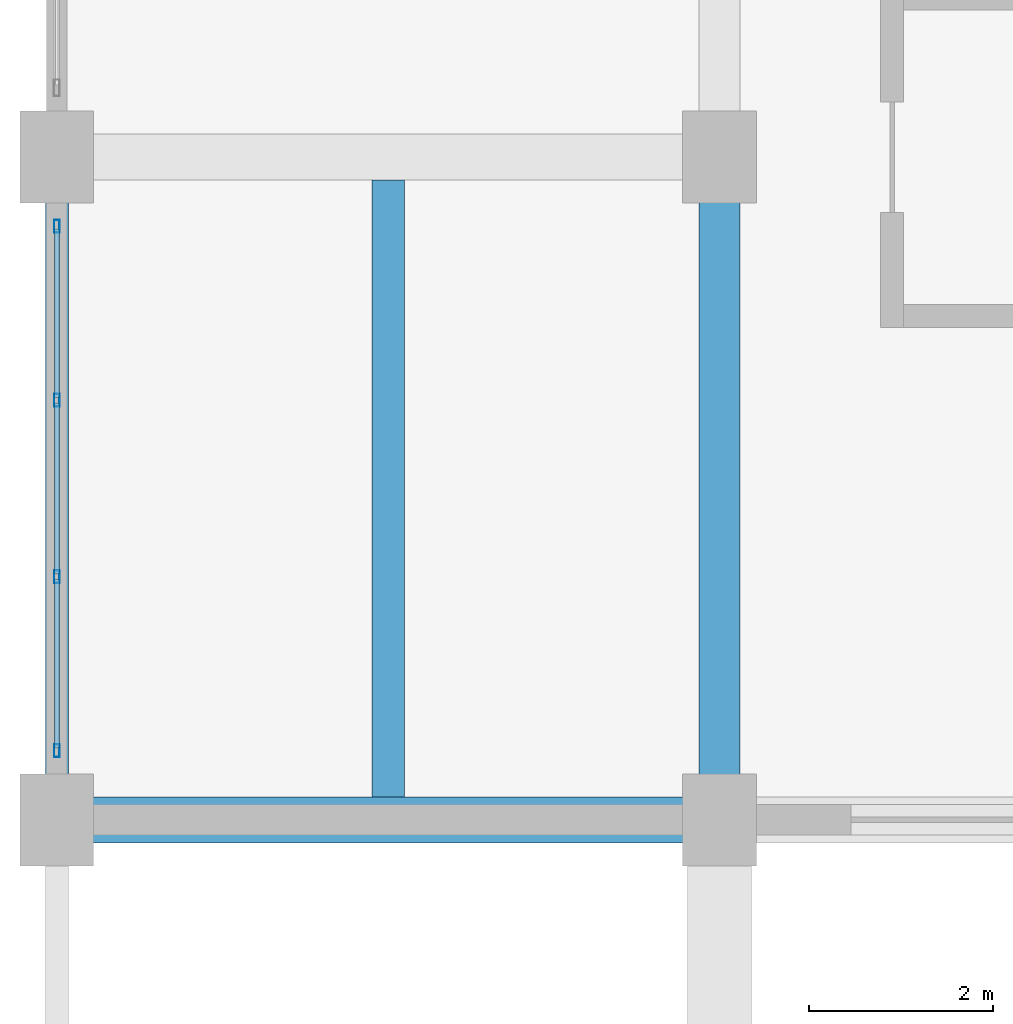
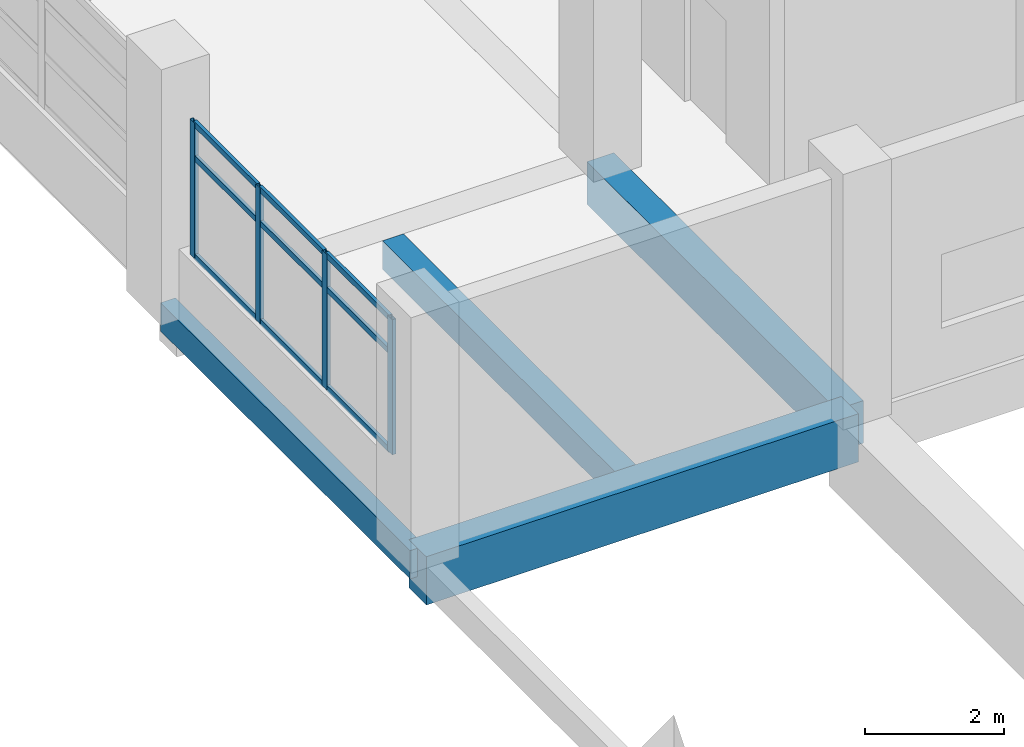
# One storey, part 2 of 141: 13 members, 4 beams, 1 element without a shape of its own.
"""IFC4 building model written with IfcOpenShell, lengths in metres."""

import ifcopenshell
import ifcopenshell.guid

model = None  # the IFC model being written
_history = None  # IfcOwnerHistory: only IFC2X3 demands one
_inside = {}  # id of a spatial element -> (the spatial element, [elements in it])
_under = {}  # id of a project, library or spatial element -> (it, [spatial elements below it])
_declared = {}  # id of a project -> (the project, [libraries it declares])
_typed = {}  # id of a type object -> (the type object, [elements of that type])
_made_of = {}  # id of a material, layer set ... -> (it, [elements and type objects made of it])


def new_model(schema):
    """Start an empty IFC model of exactly this schema.

    Asked for "IFC4X3", IfcOpenShell would pick the latest addendum, in which some entities
    have other attributes; the version numbers below select the first issue.
    IFC2X3 requires an IfcOwnerHistory on every rooted entity: one is made here for all.
    """
    global model, _history
    if schema == "IFC4X3":
        model = ifcopenshell.file(schema_version=(4, 3, 0, 0))
    else:
        model = ifcopenshell.file(schema=schema)
    _inside.clear()
    _under.clear()
    _declared.clear()
    _typed.clear()
    _made_of.clear()
    _history = None
    if model.schema == "IFC2X3":
        org = make("IfcOrganization", Name="unknown")
        user = make(
            "IfcPersonAndOrganization",
            ThePerson=make("IfcPerson", FamilyName="unknown"),
            TheOrganization=org,
        )
        app = make(
            "IfcApplication",
            ApplicationDeveloper=org,
            Version="unknown",
            ApplicationFullName="unknown",
            ApplicationIdentifier="unknown",
        )
        _history = make(
            "IfcOwnerHistory",
            OwningUser=user,
            OwningApplication=app,
            ChangeAction="ADDED",
            CreationDate=0,
        )
    return model


def make(cls, **values):
    """One entity of the class cls with the attributes given. An attribute that is None is left unset."""
    return model.create_entity(
        cls, **{name: value for name, value in values.items() if value is not None}
    )


def rooted(cls, **values):
    """An entity with a GlobalId (a new one), such as an element, a storey or a relation."""
    return make(cls, GlobalId=ifcopenshell.guid.new(), OwnerHistory=_history, **values)


def si_unit(unit_type, name, prefix=None):
    """IfcSIUnit, for example si_unit("LENGTHUNIT", "METRE", prefix="MILLI")."""
    return make("IfcSIUnit", UnitType=unit_type, Prefix=prefix, Name=name)


def assignment(units):
    """IfcUnitAssignment: the units of a project."""
    return None if units is None else make("IfcUnitAssignment", Units=units)


def point(xyz):
    """IfcCartesianPoint."""
    return None if xyz is None else make("IfcCartesianPoint", Coordinates=xyz)


def direction(xyz):
    """IfcDirection."""
    return None if xyz is None else make("IfcDirection", DirectionRatios=xyz)


def frame(location, z_axis=None, x_axis=None):
    """IfcAxis2Placement3D, a coordinate frame: its origin and axes. An axis left out is left unset."""
    return make(
        "IfcAxis2Placement3D",
        Location=point(location),
        Axis=direction(z_axis),
        RefDirection=direction(x_axis),
    )


def frame_2d(location, x_axis=None):
    """IfcAxis2Placement2D, a coordinate frame in the plane: its origin and x axis."""
    return make(
        "IfcAxis2Placement2D", Location=point(location), RefDirection=direction(x_axis)
    )


def origin():
    """The frame at (0, 0, 0) with its axes left unset."""
    return frame((0.0, 0.0, 0.0))


def origin_2d():
    """The frame at (0, 0) in the plane with its x axis left unset."""
    return frame_2d((0.0, 0.0))


def place(relative_to, where):
    """IfcLocalPlacement: puts the frame where relative to a parent placement (None: the world)."""
    return make(
        "IfcLocalPlacement", PlacementRelTo=relative_to, RelativePlacement=where
    )


def context(
    kind, dimensions, precision=None, world=None, true_north=None, identifier=None
):
    """IfcGeometricRepresentationContext, for example the 3D "Model" context."""
    return make(
        "IfcGeometricRepresentationContext",
        ContextIdentifier=identifier,
        ContextType=kind,
        CoordinateSpaceDimension=dimensions,
        Precision=precision,
        WorldCoordinateSystem=world,
        TrueNorth=true_north,
    )


def subcontext(parent, identifier, kind, view, scale=None):
    """IfcGeometricRepresentationSubContext, for example "Body" below "Model"."""
    return make(
        "IfcGeometricRepresentationSubContext",
        ContextIdentifier=identifier,
        ContextType=kind,
        ParentContext=parent,
        TargetScale=scale,
        TargetView=view,
    )


def project(units=None, contexts=None):
    """IfcProject with its units and contexts."""
    return rooted(
        "IfcProject",
        Name="project",
        RepresentationContexts=contexts,
        UnitsInContext=assignment(units),
    )


def spatial(cls, under=None, at=None, **own):
    """A site, building, storey or space (cls), placed at a placement, below another one or the project."""
    s = rooted(cls, ObjectPlacement=at, **own)
    if under is not None:
        _under.setdefault(under.id(), (under, []))[1].append(s)
    return s


def profile(cls, at=None, kind="AREA", **sizes):
    """A parametric profile (cls). Its sizes go by their IFC names, for example OverallWidth=200.0."""
    return make(cls, ProfileType=kind, Position=at, **sizes)


def rectangle(**sizes):
    """IfcRectangleProfileDef."""
    return profile("IfcRectangleProfileDef", **sizes)


def hollow_rectangle(**sizes):
    """IfcRectangleHollowProfileDef."""
    return profile("IfcRectangleHollowProfileDef", **sizes)


def extrude(swept, where, along, depth):
    """IfcExtrudedAreaSolid: the profile swept, set in the frame where, extruded along a direction by depth."""
    return make(
        "IfcExtrudedAreaSolid",
        SweptArea=swept,
        Position=where,
        ExtrudedDirection=direction(along),
        Depth=depth,
    )


def shape(context_of_items, identifier, shape_type, items):
    """IfcShapeRepresentation: the items that make up one representation, for example the "Body"."""
    return make(
        "IfcShapeRepresentation",
        ContextOfItems=context_of_items,
        RepresentationIdentifier=identifier,
        RepresentationType=shape_type,
        Items=items,
    )


def material(Name=None, Category=None):
    """IfcMaterial."""
    return make("IfcMaterial", Name=Name, Category=Category)


def layer(
    of_material, thickness, ventilated=None, Name=None, Category=None, Priority=None
):
    """IfcMaterialLayer: one layer of a wall or slab, of a material (None: an air gap)."""
    return make(
        "IfcMaterialLayer",
        Material=of_material,
        LayerThickness=thickness,
        IsVentilated=ventilated,
        Name=Name,
        Category=Category,
        Priority=Priority,
    )


def layer_set(layers, Name=None):
    """IfcMaterialLayerSet."""
    return make("IfcMaterialLayerSet", MaterialLayers=layers, LayerSetName=Name)


def material_profile(
    of_material, cross_section, Name=None, Category=None, Priority=None
):
    """IfcMaterialProfile: a cross section and its material."""
    return make(
        "IfcMaterialProfile",
        Name=Name,
        Material=of_material,
        Profile=cross_section,
        Priority=Priority,
        Category=Category,
    )


def profile_set(profiles, Name=None, composite=None):
    """IfcMaterialProfileSet."""
    return make(
        "IfcMaterialProfileSet",
        Name=Name,
        MaterialProfiles=profiles,
        CompositeProfile=composite,
    )


def made_of(thing, what):
    """Note that an element or type object is made of a material, layer set ...; save() writes the relation."""
    if what is not None:
        _made_of.setdefault(what.id(), (what, []))[1].append(thing)
    return thing


def type_object(cls, material=None, **own):
    """A type object (cls), such as IfcWallType, which elements share."""
    return made_of(rooted(cls, **own), material)


def element(
    cls,
    number,
    at=None,
    inside=None,
    cuts=None,
    type_object=None,
    material=None,
    context=None,
    identifier="Body",
    shape_type=None,
    held_by="IfcProductDefinitionShape",
    body=None,
    shapes=None,
    **own,
):
    """One element of the class cls, such as IfcWall. Its Tag is "e" and its number.

    at: its placement. inside: the storey or other place that contains it. cuts: it is an
    opening in that element (IfcRelVoidsElement). A single representation is given by context,
    identifier, shape_type and body (its items); several are given by shapes. held_by: the class
    of the entity that holds the representations. save() writes the other relations.
    """
    e = rooted(cls, Tag="e%d" % number, ObjectPlacement=at, **own)
    if body is not None:
        shapes = [shape(context, identifier, shape_type, body)]
    if shapes is not None:
        e.Representation = make(held_by, Representations=shapes)
    if inside is not None:
        _inside.setdefault(inside.id(), (inside, []))[1].append(e)
    if cuts is not None:
        rooted(
            "IfcRelVoidsElement", RelatingBuildingElement=cuts, RelatedOpeningElement=e
        )
    if type_object is not None:
        _typed.setdefault(type_object.id(), (type_object, []))[1].append(e)
    return made_of(e, material)


def aggregate(whole, parts):
    """IfcRelAggregates: a whole, such as a stair, and the parts it consists of."""
    return rooted("IfcRelAggregates", RelatingObject=whole, RelatedObjects=parts)


def save(model, path):
    """Write the relations noted so far, then the file.

    IfcRelAggregates (storeys below a building ...), IfcRelContainedInSpatialStructure (elements
    in a storey), IfcRelDefinesByType, IfcRelAssociatesMaterial and IfcRelDeclares: one each for
    every whole, place, type object, material and project.
    """
    for whole, parts in _under.values():
        aggregate(whole, parts)
    for where, things in _inside.values():
        rooted(
            "IfcRelContainedInSpatialStructure",
            RelatedElements=things,
            RelatingStructure=where,
        )
    for kind, things in _typed.values():
        rooted("IfcRelDefinesByType", RelatedObjects=things, RelatingType=kind)
    for what, things in _made_of.values():
        rooted("IfcRelAssociatesMaterial", RelatedObjects=things, RelatingMaterial=what)
    for by, libraries in _declared.values():
        rooted("IfcRelDeclares", RelatingContext=by, RelatedDefinitions=libraries)
    model.write(path)


model = new_model("IFC4")

# Units and contexts
model_context = context("Model", 3, precision=1e-05, world=origin(), true_north=direction((0.0, 1.0)))
body_context = subcontext(model_context, "Body", "Model", "MODEL_VIEW")
ifc_project = project(units=[si_unit("LENGTHUNIT", "METRE"), si_unit("AREAUNIT", "SQUARE_METRE"), si_unit("VOLUMEUNIT", "CUBIC_METRE"), si_unit("PLANEANGLEUNIT", "RADIAN"), si_unit("MASSUNIT", "GRAM", prefix="KILO")], contexts=[model_context])

# Site, building, storey
site_placement = place(None, origin())
site = spatial("IfcSite", under=ifc_project, at=site_placement, CompositionType="ELEMENT")
building_placement = place(site_placement, origin())
building = spatial("IfcBuilding", under=site, at=building_placement, Name="Seraya Terrace Polytechnic", CompositionType="ELEMENT")
storey_placement = place(building_placement, frame((0.0, 0.0, 14.39990234375)))
storey = spatial("IfcBuildingStorey", under=building, at=storey_placement, Name="L03", CompositionType="ELEMENT", Elevation=14.39990234375)

# Beams
ifc_material_1 = material(Name="Concrete C40/50", Category="concrete")
ifc_material_profile_1 = material_profile(ifc_material_1, rectangle(XDim=0.5, YDim=0.85009765625, at=origin_2d()), Name="RC 500x850")
ifc_profile_set_1 = profile_set([ifc_material_profile_1], Name="Concrete C40/50")
beam_type_1 = type_object("IfcBeamType", Name="BM-05", PredefinedType="BEAM", material=ifc_profile_set_1)
beam_1_placement = place(storey_placement, frame((0.0, 14.39990234375, -0.4248046875), z_axis=(1.0, 0.0, 0.0), x_axis=(0.0, 1.0, 0.0)))
element("IfcBeam", 1, at=beam_1_placement, inside=storey, type_object=beam_type_1, Name="Beam BM-05 L03 X (0.0..7.2, 14.4)", PredefinedType="BEAM", context=body_context, shape_type="SweptSolid", body=[
    extrude(rectangle(XDim=0.5, YDim=0.85009765625, at=origin_2d()), origin(), (0.0, 0.0, 1.0), 7.199951171875),
])
ifc_material_profile_2 = material_profile(ifc_material_1, rectangle(XDim=0.449951171875, YDim=0.75, at=origin_2d()), Name="RC 450x750")
ifc_profile_set_2 = profile_set([ifc_material_profile_2], Name="Concrete C40/50")
beam_type_2 = type_object("IfcBeamType", Name="BM-08", PredefinedType="BEAM", material=ifc_profile_set_2)
beam_2_placement = place(storey_placement, frame((7.199951171875, 14.39990234375, -0.375), z_axis=(0.0, 1.0, 0.0), x_axis=(-1.0, 0.0, 0.0)))
element("IfcBeam", 2, at=beam_2_placement, inside=storey, type_object=beam_type_2, Name="Beam BM-08 L03 Y (7.2, 14.4..21.6)", PredefinedType="BEAM", context=body_context, shape_type="SweptSolid", body=[
    extrude(rectangle(XDim=0.449951171875, YDim=0.75, at=origin_2d()), origin(), (0.0, 0.0, 1.0), 7.2001953125),
])

# Curtain wall, members
ifc_material_2 = material(Name="Anodised aluminium EN AW-6063 T6", Category="aluminium")
ifc_layer = layer(ifc_material_2, 0.179931640625, Name="CW-36")
ifc_layer_set = layer_set([ifc_layer], Name="Anodised aluminium EN AW-6063 T6")
curtain_wall_type = type_object("IfcCurtainWallType", Name="CW-36", PredefinedType="NOTDEFINED", material=ifc_layer_set)
curtain_wall_placement = place(storey_placement, origin())
curtain_wall = element("IfcCurtainWall", 3, at=curtain_wall_placement, inside=storey, type_object=curtain_wall_type, Name="Unitised curtain wall CW-36 (CW-L03-108)", PredefinedType="NOTDEFINED")
ifc_material_profile_3 = material_profile(ifc_material_2, hollow_rectangle(XDim=0.06005859375, YDim=0.139892578125, WallThickness=0.00341796875, at=origin_2d()), Name="RHS 140x60x3.5")
ifc_profile_set_3 = profile_set([ifc_material_profile_3], Name="Anodised aluminium EN AW-6063 T6")
member_type_1 = type_object("IfcMemberType", Name="CWM-03", PredefinedType="MULLION", material=ifc_profile_set_3)
member_1_placement = place(storey_placement, frame((0.0, 15.14990234375, 1.239990234375), z_axis=(0.0, 0.0, 1.0), x_axis=(-1.0, 0.0, 0.0)))
member_1 = element("IfcMember", 4, at=member_1_placement, type_object=member_type_1, Name="CW-36 mullion 1", PredefinedType="MULLION", context=body_context, shape_type="SweptSolid", body=[
    extrude(hollow_rectangle(XDim=0.06005859375, YDim=0.139892578125, WallThickness=0.00341796875, at=origin_2d()), origin(), (0.0, 0.0, 1.0), 2.380126953125),
])
member_2_placement = place(storey_placement, frame((0.0, 17.0400390625, 1.239990234375), z_axis=(0.0, 0.0, 1.0), x_axis=(-1.0, 0.0, 0.0)))
member_2 = element("IfcMember", 5, at=member_2_placement, type_object=member_type_1, Name="CW-36 mullion 2", PredefinedType="MULLION", context=body_context, shape_type="SweptSolid", body=[
    extrude(hollow_rectangle(XDim=0.06005859375, YDim=0.139892578125, WallThickness=0.00341796875, at=origin_2d()), origin(), (0.0, 0.0, 1.0), 2.380126953125),
])
member_3_placement = place(storey_placement, frame((0.0, 18.9599609375, 1.239990234375), z_axis=(0.0, 0.0, 1.0), x_axis=(-1.0, 0.0, 0.0)))
member_3 = element("IfcMember", 6, at=member_3_placement, type_object=member_type_1, Name="CW-36 mullion 3", PredefinedType="MULLION", context=body_context, shape_type="SweptSolid", body=[
    extrude(hollow_rectangle(XDim=0.06005859375, YDim=0.139892578125, WallThickness=0.00341796875, at=origin_2d()), origin(), (0.0, 0.0, 1.0), 2.380126953125),
])
member_4_placement = place(storey_placement, frame((0.0, 20.85009765625, 1.239990234375), z_axis=(0.0, 0.0, 1.0), x_axis=(-1.0, 0.0, 0.0)))
member_4 = element("IfcMember", 7, at=member_4_placement, type_object=member_type_1, Name="CW-36 mullion 4", PredefinedType="MULLION", context=body_context, shape_type="SweptSolid", body=[
    extrude(hollow_rectangle(XDim=0.06005859375, YDim=0.139892578125, WallThickness=0.00341796875, at=origin_2d()), origin(), (0.0, 0.0, 1.0), 2.380126953125),
])
ifc_material_profile_4 = material_profile(ifc_material_2, hollow_rectangle(XDim=0.054931640625, YDim=0.10009765625, WallThickness=0.0029296875, at=origin_2d()), Name="RHS 100x55x3.0")
ifc_profile_set_4 = profile_set([ifc_material_profile_4], Name="Anodised aluminium EN AW-6063 T6")
member_type_2 = type_object("IfcMemberType", Name="CWT-03", PredefinedType="USERDEFINED", material=ifc_profile_set_4)
member_5_placement = place(storey_placement, frame((0.0, 15.179931640625, 1.267578125), z_axis=(0.0, 1.0, 0.0), x_axis=(-1.0, 0.0, 0.0)))
member_5 = element("IfcMember", 8, at=member_5_placement, type_object=member_type_2, Name="CW-36 transom 1.1", ObjectType="TRANSOM", PredefinedType="USERDEFINED", context=body_context, shape_type="SweptSolid", body=[
    extrude(hollow_rectangle(XDim=0.054931640625, YDim=0.10009765625, WallThickness=0.0029296875, at=origin_2d()), origin(), (0.0, 0.0, 1.0), 1.830078125),
])
member_6_placement = place(storey_placement, frame((0.0, 15.179931640625, 3.0), z_axis=(0.0, 1.0, 0.0), x_axis=(-1.0, 0.0, 0.0)))
member_6 = element("IfcMember", 9, at=member_6_placement, type_object=member_type_2, Name="CW-36 transom 1.2", ObjectType="TRANSOM", PredefinedType="USERDEFINED", context=body_context, shape_type="SweptSolid", body=[
    extrude(hollow_rectangle(XDim=0.054931640625, YDim=0.10009765625, WallThickness=0.0029296875, at=origin_2d()), origin(), (0.0, 0.0, 1.0), 1.830078125),
])
member_7_placement = place(storey_placement, frame((0.0, 15.179931640625, 3.592529296875), z_axis=(0.0, 1.0, 0.0), x_axis=(-1.0, 0.0, 0.0)))
member_7 = element("IfcMember", 10, at=member_7_placement, type_object=member_type_2, Name="CW-36 transom 1.3", ObjectType="TRANSOM", PredefinedType="USERDEFINED", context=body_context, shape_type="SweptSolid", body=[
    extrude(hollow_rectangle(XDim=0.054931640625, YDim=0.10009765625, WallThickness=0.0029296875, at=origin_2d()), origin(), (0.0, 0.0, 1.0), 1.830078125),
])
member_8_placement = place(storey_placement, frame((0.0, 17.070068359375, 1.267578125), z_axis=(0.0, 1.0, 0.0), x_axis=(-1.0, 0.0, 0.0)))
member_8 = element("IfcMember", 11, at=member_8_placement, type_object=member_type_2, Name="CW-36 transom 2.1", ObjectType="TRANSOM", PredefinedType="USERDEFINED", context=body_context, shape_type="SweptSolid", body=[
    extrude(hollow_rectangle(XDim=0.054931640625, YDim=0.10009765625, WallThickness=0.0029296875, at=origin_2d()), origin(), (0.0, 0.0, 1.0), 1.85986328125),
])
member_9_placement = place(storey_placement, frame((0.0, 17.070068359375, 3.0), z_axis=(0.0, 1.0, 0.0), x_axis=(-1.0, 0.0, 0.0)))
member_9 = element("IfcMember", 12, at=member_9_placement, type_object=member_type_2, Name="CW-36 transom 2.2", ObjectType="TRANSOM", PredefinedType="USERDEFINED", context=body_context, shape_type="SweptSolid", body=[
    extrude(hollow_rectangle(XDim=0.054931640625, YDim=0.10009765625, WallThickness=0.0029296875, at=origin_2d()), origin(), (0.0, 0.0, 1.0), 1.85986328125),
])
member_10_placement = place(storey_placement, frame((0.0, 17.070068359375, 3.592529296875), z_axis=(0.0, 1.0, 0.0), x_axis=(-1.0, 0.0, 0.0)))
member_10 = element("IfcMember", 13, at=member_10_placement, type_object=member_type_2, Name="CW-36 transom 2.3", ObjectType="TRANSOM", PredefinedType="USERDEFINED", context=body_context, shape_type="SweptSolid", body=[
    extrude(hollow_rectangle(XDim=0.054931640625, YDim=0.10009765625, WallThickness=0.0029296875, at=origin_2d()), origin(), (0.0, 0.0, 1.0), 1.85986328125),
])
member_11_placement = place(storey_placement, frame((0.0, 18.989990234375, 1.267578125), z_axis=(0.0, 1.0, 0.0), x_axis=(-1.0, 0.0, 0.0)))
member_11 = element("IfcMember", 14, at=member_11_placement, type_object=member_type_2, Name="CW-36 transom 3.1", ObjectType="TRANSOM", PredefinedType="USERDEFINED", context=body_context, shape_type="SweptSolid", body=[
    extrude(hollow_rectangle(XDim=0.054931640625, YDim=0.10009765625, WallThickness=0.0029296875, at=origin_2d()), origin(), (0.0, 0.0, 1.0), 1.830078125),
])
member_12_placement = place(storey_placement, frame((0.0, 18.989990234375, 3.0), z_axis=(0.0, 1.0, 0.0), x_axis=(-1.0, 0.0, 0.0)))
member_12 = element("IfcMember", 15, at=member_12_placement, type_object=member_type_2, Name="CW-36 transom 3.2", ObjectType="TRANSOM", PredefinedType="USERDEFINED", context=body_context, shape_type="SweptSolid", body=[
    extrude(hollow_rectangle(XDim=0.054931640625, YDim=0.10009765625, WallThickness=0.0029296875, at=origin_2d()), origin(), (0.0, 0.0, 1.0), 1.830078125),
])
member_13_placement = place(storey_placement, frame((0.0, 18.989990234375, 3.592529296875), z_axis=(0.0, 1.0, 0.0), x_axis=(-1.0, 0.0, 0.0)))
member_13 = element("IfcMember", 16, at=member_13_placement, type_object=member_type_2, Name="CW-36 transom 3.3", ObjectType="TRANSOM", PredefinedType="USERDEFINED", context=body_context, shape_type="SweptSolid", body=[
    extrude(hollow_rectangle(XDim=0.054931640625, YDim=0.10009765625, WallThickness=0.0029296875, at=origin_2d()), origin(), (0.0, 0.0, 1.0), 1.830078125),
])
aggregate(curtain_wall, [member_1, member_2, member_3, member_4, member_5, member_6, member_7, member_8, member_9, member_10, member_11, member_12, member_13])

# Beams
ifc_material_profile_5 = material_profile(ifc_material_1, rectangle(XDim=0.35009765625, YDim=0.5, at=origin_2d()), Name="RC 350x500")
ifc_profile_set_5 = profile_set([ifc_material_profile_5], Name="Concrete C40/50")
beam_type_3 = type_object("IfcBeamType", Name="JS-03", PredefinedType="JOIST", material=ifc_profile_set_5)
beam_3_placement = place(storey_placement, frame((3.60009765625, 14.64990234375, -0.25), z_axis=(0.0, 1.0, 0.0), x_axis=(-1.0, 0.0, 0.0)))
element("IfcBeam", 17, at=beam_3_placement, inside=storey, type_object=beam_type_3, Name="Secondary joist JS-03 L03", PredefinedType="JOIST", context=body_context, shape_type="SweptSolid", body=[
    extrude(rectangle(XDim=0.35009765625, YDim=0.5, at=origin_2d()), origin(), (0.0, 0.0, 1.0), 6.7001953125),
])
ifc_material_profile_6 = material_profile(ifc_material_1, rectangle(XDim=0.25, YDim=0.5, at=origin_2d()), Name="RC 250x500")
ifc_profile_set_6 = profile_set([ifc_material_profile_6], Name="Concrete C40/50")
beam_type_4 = type_object("IfcBeamType", Name="SP-03", PredefinedType="SPANDREL", material=ifc_profile_set_6)
beam_4_placement = place(storey_placement, frame((0.0, 14.39990234375, -0.25), z_axis=(0.0, 1.0, 0.0), x_axis=(-1.0, 0.0, 0.0)))
element("IfcBeam", 18, at=beam_4_placement, inside=storey, type_object=beam_type_4, Name="Beam SP-03 L03 Y (0.0, 14.4..21.6)", PredefinedType="SPANDREL", context=body_context, shape_type="SweptSolid", body=[
    extrude(rectangle(XDim=0.25, YDim=0.5, at=origin_2d()), origin(), (0.0, 0.0, 1.0), 7.2001953125),
])

save(model, "model.ifc")
